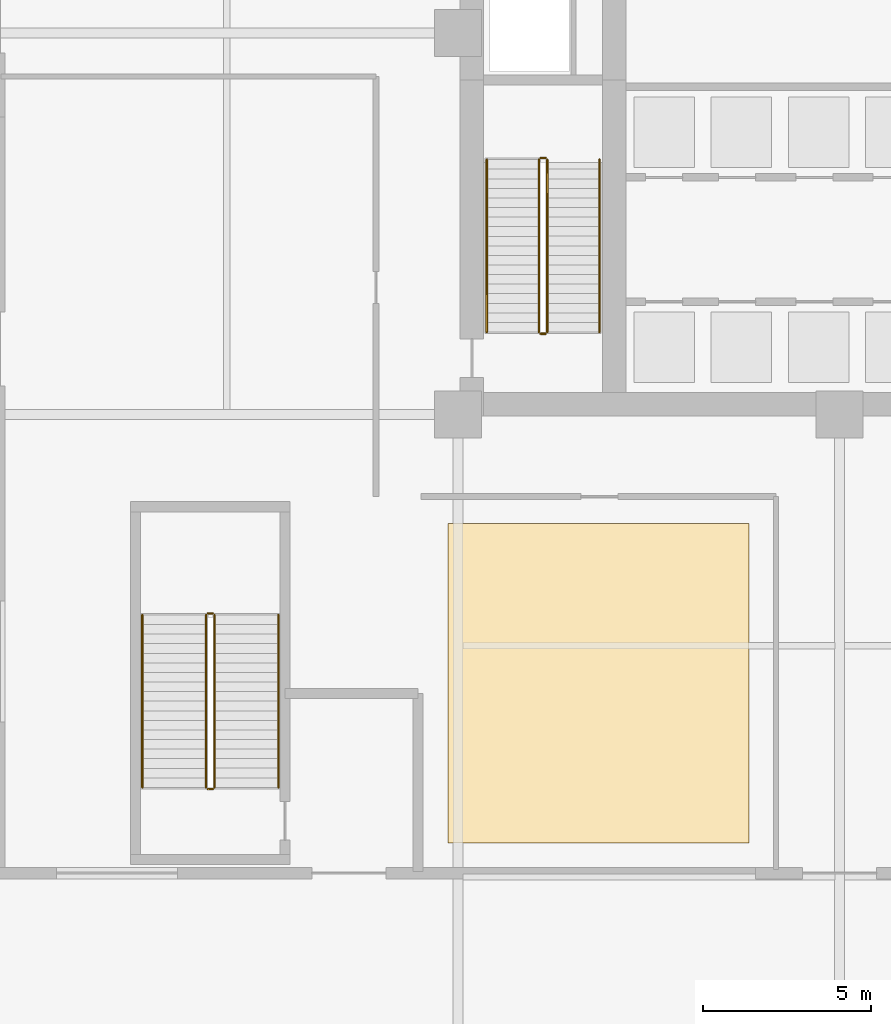
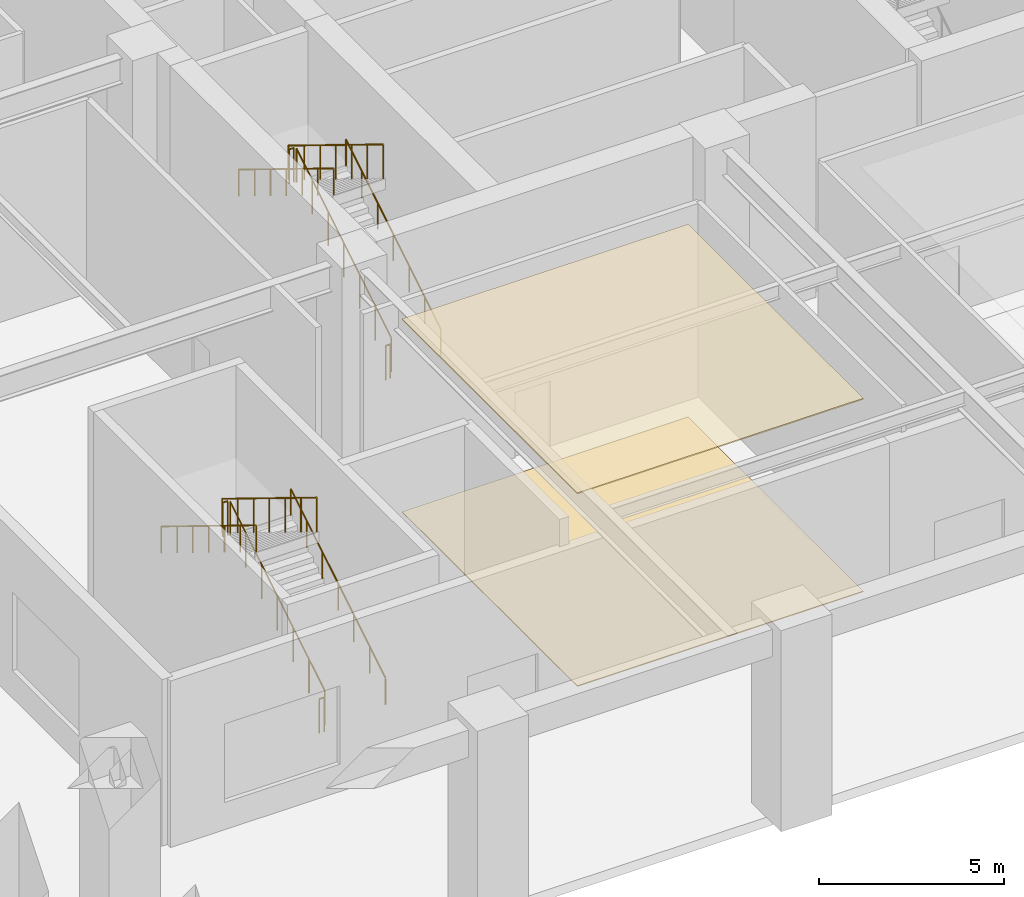
# One storey, part 13 of 17: 12 railings, 2 coverings.
"""IFC4 building model written with IfcOpenShell, lengths in metres."""

import ifcopenshell
import ifcopenshell.guid

model = None  # the IFC model being written
_history = None  # IfcOwnerHistory: only IFC2X3 demands one
_inside = {}  # id of a spatial element -> (the spatial element, [elements in it])
_under = {}  # id of a project, library or spatial element -> (it, [spatial elements below it])
_declared = {}  # id of a project -> (the project, [libraries it declares])
_typed = {}  # id of a type object -> (the type object, [elements of that type])
_made_of = {}  # id of a material, layer set ... -> (it, [elements and type objects made of it])


def new_model(schema):
    """Start an empty IFC model of exactly this schema.

    Asked for "IFC4X3", IfcOpenShell would pick the latest addendum, in which some entities
    have other attributes; the version numbers below select the first issue.
    IFC2X3 requires an IfcOwnerHistory on every rooted entity: one is made here for all.
    """
    global model, _history
    if schema == "IFC4X3":
        model = ifcopenshell.file(schema_version=(4, 3, 0, 0))
    else:
        model = ifcopenshell.file(schema=schema)
    _inside.clear()
    _under.clear()
    _declared.clear()
    _typed.clear()
    _made_of.clear()
    _history = None
    if model.schema == "IFC2X3":
        org = make("IfcOrganization", Name="unknown")
        user = make(
            "IfcPersonAndOrganization",
            ThePerson=make("IfcPerson", FamilyName="unknown"),
            TheOrganization=org,
        )
        app = make(
            "IfcApplication",
            ApplicationDeveloper=org,
            Version="unknown",
            ApplicationFullName="unknown",
            ApplicationIdentifier="unknown",
        )
        _history = make(
            "IfcOwnerHistory",
            OwningUser=user,
            OwningApplication=app,
            ChangeAction="ADDED",
            CreationDate=0,
        )
    return model


def make(cls, **values):
    """One entity of the class cls with the attributes given. An attribute that is None is left unset."""
    return model.create_entity(
        cls, **{name: value for name, value in values.items() if value is not None}
    )


def rooted(cls, **values):
    """An entity with a GlobalId (a new one), such as an element, a storey or a relation."""
    return make(cls, GlobalId=ifcopenshell.guid.new(), OwnerHistory=_history, **values)


def si_unit(unit_type, name, prefix=None):
    """IfcSIUnit, for example si_unit("LENGTHUNIT", "METRE", prefix="MILLI")."""
    return make("IfcSIUnit", UnitType=unit_type, Prefix=prefix, Name=name)


def assignment(units):
    """IfcUnitAssignment: the units of a project."""
    return None if units is None else make("IfcUnitAssignment", Units=units)


def point(xyz):
    """IfcCartesianPoint."""
    return None if xyz is None else make("IfcCartesianPoint", Coordinates=xyz)


def direction(xyz):
    """IfcDirection."""
    return None if xyz is None else make("IfcDirection", DirectionRatios=xyz)


def frame(location, z_axis=None, x_axis=None):
    """IfcAxis2Placement3D, a coordinate frame: its origin and axes. An axis left out is left unset."""
    return make(
        "IfcAxis2Placement3D",
        Location=point(location),
        Axis=direction(z_axis),
        RefDirection=direction(x_axis),
    )


def frame_2d(location, x_axis=None):
    """IfcAxis2Placement2D, a coordinate frame in the plane: its origin and x axis."""
    return make(
        "IfcAxis2Placement2D", Location=point(location), RefDirection=direction(x_axis)
    )


def origin():
    """The frame at (0, 0, 0) with its axes left unset."""
    return frame((0.0, 0.0, 0.0))


def origin_2d():
    """The frame at (0, 0) in the plane with its x axis left unset."""
    return frame_2d((0.0, 0.0))


def place(relative_to, where):
    """IfcLocalPlacement: puts the frame where relative to a parent placement (None: the world)."""
    return make(
        "IfcLocalPlacement", PlacementRelTo=relative_to, RelativePlacement=where
    )


def context(
    kind, dimensions, precision=None, world=None, true_north=None, identifier=None
):
    """IfcGeometricRepresentationContext, for example the 3D "Model" context."""
    return make(
        "IfcGeometricRepresentationContext",
        ContextIdentifier=identifier,
        ContextType=kind,
        CoordinateSpaceDimension=dimensions,
        Precision=precision,
        WorldCoordinateSystem=world,
        TrueNorth=true_north,
    )


def subcontext(parent, identifier, kind, view, scale=None):
    """IfcGeometricRepresentationSubContext, for example "Body" below "Model"."""
    return make(
        "IfcGeometricRepresentationSubContext",
        ContextIdentifier=identifier,
        ContextType=kind,
        ParentContext=parent,
        TargetScale=scale,
        TargetView=view,
    )


def project(units=None, contexts=None):
    """IfcProject with its units and contexts."""
    return rooted(
        "IfcProject",
        Name="project",
        RepresentationContexts=contexts,
        UnitsInContext=assignment(units),
    )


def spatial(cls, under=None, at=None, **own):
    """A site, building, storey or space (cls), placed at a placement, below another one or the project."""
    s = rooted(cls, ObjectPlacement=at, **own)
    if under is not None:
        _under.setdefault(under.id(), (under, []))[1].append(s)
    return s


def polyline(points):
    """IfcPolyline through the points."""
    return make("IfcPolyline", Points=[point(p) for p in points])


def profile(cls, at=None, kind="AREA", **sizes):
    """A parametric profile (cls). Its sizes go by their IFC names, for example OverallWidth=200.0."""
    return make(cls, ProfileType=kind, Position=at, **sizes)


def circle(**sizes):
    """IfcCircleProfileDef."""
    return profile("IfcCircleProfileDef", **sizes)


def outline(outer, holes=None, kind="AREA"):
    """IfcArbitraryClosedProfileDef: a profile drawn as a closed curve; with holes, ...WithVoids."""
    if holes is None:
        return make("IfcArbitraryClosedProfileDef", ProfileType=kind, OuterCurve=outer)
    return make(
        "IfcArbitraryProfileDefWithVoids",
        ProfileType=kind,
        OuterCurve=outer,
        InnerCurves=holes,
    )


def extrude(swept, where, along, depth):
    """IfcExtrudedAreaSolid: the profile swept, set in the frame where, extruded along a direction by depth."""
    return make(
        "IfcExtrudedAreaSolid",
        SweptArea=swept,
        Position=where,
        ExtrudedDirection=direction(along),
        Depth=depth,
    )


def shape(context_of_items, identifier, shape_type, items):
    """IfcShapeRepresentation: the items that make up one representation, for example the "Body"."""
    return make(
        "IfcShapeRepresentation",
        ContextOfItems=context_of_items,
        RepresentationIdentifier=identifier,
        RepresentationType=shape_type,
        Items=items,
    )


def material(Name=None, Category=None):
    """IfcMaterial."""
    return make("IfcMaterial", Name=Name, Category=Category)


def layer(
    of_material, thickness, ventilated=None, Name=None, Category=None, Priority=None
):
    """IfcMaterialLayer: one layer of a wall or slab, of a material (None: an air gap)."""
    return make(
        "IfcMaterialLayer",
        Material=of_material,
        LayerThickness=thickness,
        IsVentilated=ventilated,
        Name=Name,
        Category=Category,
        Priority=Priority,
    )


def layer_set(layers, Name=None):
    """IfcMaterialLayerSet."""
    return make("IfcMaterialLayerSet", MaterialLayers=layers, LayerSetName=Name)


def made_of(thing, what):
    """Note that an element or type object is made of a material, layer set ...; save() writes the relation."""
    if what is not None:
        _made_of.setdefault(what.id(), (what, []))[1].append(thing)
    return thing


def type_object(cls, material=None, **own):
    """A type object (cls), such as IfcWallType, which elements share."""
    return made_of(rooted(cls, **own), material)


def element(
    cls,
    number,
    at=None,
    inside=None,
    cuts=None,
    type_object=None,
    material=None,
    context=None,
    identifier="Body",
    shape_type=None,
    held_by="IfcProductDefinitionShape",
    body=None,
    shapes=None,
    **own,
):
    """One element of the class cls, such as IfcWall. Its Tag is "e" and its number.

    at: its placement. inside: the storey or other place that contains it. cuts: it is an
    opening in that element (IfcRelVoidsElement). A single representation is given by context,
    identifier, shape_type and body (its items); several are given by shapes. held_by: the class
    of the entity that holds the representations. save() writes the other relations.
    """
    e = rooted(cls, Tag="e%d" % number, ObjectPlacement=at, **own)
    if body is not None:
        shapes = [shape(context, identifier, shape_type, body)]
    if shapes is not None:
        e.Representation = make(held_by, Representations=shapes)
    if inside is not None:
        _inside.setdefault(inside.id(), (inside, []))[1].append(e)
    if cuts is not None:
        rooted(
            "IfcRelVoidsElement", RelatingBuildingElement=cuts, RelatedOpeningElement=e
        )
    if type_object is not None:
        _typed.setdefault(type_object.id(), (type_object, []))[1].append(e)
    return made_of(e, material)


def aggregate(whole, parts):
    """IfcRelAggregates: a whole, such as a stair, and the parts it consists of."""
    return rooted("IfcRelAggregates", RelatingObject=whole, RelatedObjects=parts)


def save(model, path):
    """Write the relations noted so far, then the file.

    IfcRelAggregates (storeys below a building ...), IfcRelContainedInSpatialStructure (elements
    in a storey), IfcRelDefinesByType, IfcRelAssociatesMaterial and IfcRelDeclares: one each for
    every whole, place, type object, material and project.
    """
    for whole, parts in _under.values():
        aggregate(whole, parts)
    for where, things in _inside.values():
        rooted(
            "IfcRelContainedInSpatialStructure",
            RelatedElements=things,
            RelatingStructure=where,
        )
    for kind, things in _typed.values():
        rooted("IfcRelDefinesByType", RelatedObjects=things, RelatingType=kind)
    for what, things in _made_of.values():
        rooted("IfcRelAssociatesMaterial", RelatedObjects=things, RelatingMaterial=what)
    for by, libraries in _declared.values():
        rooted("IfcRelDeclares", RelatingContext=by, RelatedDefinitions=libraries)
    model.write(path)


model = new_model("IFC4")

# Units and contexts
model_context = context("Model", 3, precision=1e-05, world=origin(), true_north=direction((0.0, 1.0)))
body_context = subcontext(model_context, "Body", "Model", "MODEL_VIEW")
ifc_project = project(units=[si_unit("LENGTHUNIT", "METRE"), si_unit("AREAUNIT", "SQUARE_METRE"), si_unit("VOLUMEUNIT", "CUBIC_METRE"), si_unit("PLANEANGLEUNIT", "RADIAN"), si_unit("MASSUNIT", "GRAM", prefix="KILO")], contexts=[model_context])

# Site, building, storey
site_placement = place(None, origin())
site = spatial("IfcSite", under=ifc_project, at=site_placement, CompositionType="ELEMENT")
building_placement = place(site_placement, origin())
building = spatial("IfcBuilding", under=site, at=building_placement, Name="Nhamokura Convention Tower", CompositionType="ELEMENT")
storey_placement = place(building_placement, origin())
storey = spatial("IfcBuildingStorey", under=building, at=storey_placement, Name="L00", CompositionType="ELEMENT", Elevation=0.0)

# Coverings
ifc_material_1 = material(Name="Anodised bronze aluminium ceiling baffle", Category="aluminium")
ifc_layer_1 = layer(ifc_material_1, 0.0400390625)
ifc_layer_set_1 = layer_set([ifc_layer_1], Name="BronzeBaffleCeiling_40")
covering_type_1 = type_object("IfcCoveringType", Name="BronzeBaffleCeiling_40", PredefinedType="CEILING", material=ifc_layer_set_1)
covering_1_placement = place(storey_placement, frame((0.0, 0.0, 6.3701171875)))
element("IfcCovering", 1, at=covering_1_placement, inside=storey, type_object=covering_type_1, Name="L00 Suspended Ceiling 03", PredefinedType="CEILING", context=body_context, shape_type="SweptSolid", body=[
    extrude(outline(polyline([(20.35009765625, 7.89990234375), (29.300048828125, 7.89990234375), (29.300048828125, 17.39990234375), (20.35009765625, 17.39990234375), (20.35009765625, 7.89990234375)])), origin(), (0.0, 0.0, 1.0), 0.039794921875),
])
ifc_material_2 = material(Name="Polished Sabana granite terrazzo", Category="masonry")
ifc_layer_2 = layer(ifc_material_2, 0.030029296875)
ifc_layer_set_2 = layer_set([ifc_layer_2], Name="SabanaTerrazzoFlooring_30")
covering_type_2 = type_object("IfcCoveringType", Name="SabanaTerrazzoFlooring_30", PredefinedType="FLOORING", material=ifc_layer_set_2)
covering_2_placement = place(storey_placement, origin())
element("IfcCovering", 2, at=covering_2_placement, inside=storey, type_object=covering_type_2, Name="L00 Finish Flooring 03", PredefinedType="FLOORING", context=body_context, shape_type="SweptSolid", body=[
    extrude(outline(polyline([(20.35009765625, 7.89990234375), (29.300048828125, 7.89990234375), (29.300048828125, 17.39990234375), (20.35009765625, 17.39990234375), (20.35009765625, 7.89990234375)])), origin(), (0.0, 0.0, 1.0), 0.030029296875),
])

# Railings
ifc_material_3 = material(Name="Anodised bronze stainless steel", Category="steel")
railing_type_1 = type_object("IfcRailingType", Name="StairWallHandrail_900", PredefinedType="HANDRAIL", material=ifc_material_3)
railing_1_placement = place(storey_placement, frame((24.85009765625, 23.10009765625, 0.175048828125)))
element("IfcRailing", 3, at=railing_1_placement, inside=storey, type_object=railing_type_1, Name="L00 ST-01 stair handrail 1", PredefinedType="HANDRAIL", context=body_context, shape_type="SweptSolid", body=[
    extrude(circle(Radius=0.02392578125, at=origin_2d()), frame((0.0, 0.0, 0.8759765625), z_axis=(0.0, 0.852173129349, 0.523259933127), x_axis=(-1.0, 0.0, 0.0)), (0.0, 0.0, 1.0), 6.019775390625),
    extrude(circle(Radius=0.02099609375, at=origin_2d()), origin(), (0.0, 0.0, 1.0), 0.851806640625),
    extrude(circle(Radius=0.02099609375, at=origin_2d()), frame((0.0, 0.85498046875, 0.52490234375)), (0.0, 0.0, 1.0), 0.851806640625),
    extrude(circle(Radius=0.02099609375, at=origin_2d()), frame((0.0, 1.7099609375, 1.050048828125)), (0.0, 0.0, 1.0), 0.851806640625),
    extrude(circle(Radius=0.02099609375, at=origin_2d()), frame((0.0, 2.56494140625, 1.574951171875)), (0.0, 0.0, 1.0), 0.851806640625),
    extrude(circle(Radius=0.02099609375, at=origin_2d()), frame((0.0, 3.419921875, 2.099853515625)), (0.0, 0.0, 1.0), 0.851806640625),
    extrude(circle(Radius=0.02099609375, at=origin_2d()), frame((0.0, 4.27490234375, 2.625)), (0.0, 0.0, 1.0), 0.851806640625),
    extrude(circle(Radius=0.02099609375, at=origin_2d()), frame((0.0, 5.1298828125, 3.14990234375)), (0.0, 0.0, 1.0), 0.851806640625),
])
railing_2_placement = place(storey_placement, frame((21.5, 28.22998046875, 3.5)))
element("IfcRailing", 4, at=railing_2_placement, inside=storey, type_object=railing_type_1, Name="L00 ST-01 stair handrail 2", PredefinedType="HANDRAIL", context=body_context, shape_type="SweptSolid", body=[
    extrude(circle(Radius=0.02392578125, at=origin_2d()), frame((0.0, 0.0, 0.8759765625), z_axis=(0.0, -0.852173129349, 0.523259933127), x_axis=(1.0, 0.0, 0.0)), (0.0, 0.0, 1.0), 6.019775390625),
    extrude(circle(Radius=0.02099609375, at=origin_2d()), origin(), (0.0, 0.0, 1.0), 0.851806640625),
    extrude(circle(Radius=0.02099609375, at=origin_2d()), frame((0.0, -0.85498046875, 0.52490234375)), (0.0, 0.0, 1.0), 0.851806640625),
    extrude(circle(Radius=0.02099609375, at=origin_2d()), frame((0.0, -1.7099609375, 1.050048828125)), (0.0, 0.0, 1.0), 0.851806640625),
    extrude(circle(Radius=0.02099609375, at=origin_2d()), frame((0.0, -2.56494140625, 1.574951171875)), (0.0, 0.0, 1.0), 0.851806640625),
    extrude(circle(Radius=0.02099609375, at=origin_2d()), frame((0.0, -3.419921875, 2.099853515625)), (0.0, 0.0, 1.0), 0.851806640625),
    extrude(circle(Radius=0.02099609375, at=origin_2d()), frame((0.0, -4.27490234375, 2.625)), (0.0, 0.0, 1.0), 0.851806640625),
    extrude(circle(Radius=0.02099609375, at=origin_2d()), frame((0.0, -5.1298828125, 3.14990234375)), (0.0, 0.0, 1.0), 0.851806640625),
])
railing_3_placement = place(storey_placement, frame((15.300048828125, 9.550048828125, 0.175048828125)))
element("IfcRailing", 5, at=railing_3_placement, inside=storey, type_object=railing_type_1, Name="L00 ST-04 stair handrail 1", PredefinedType="HANDRAIL", context=body_context, shape_type="SweptSolid", body=[
    extrude(circle(Radius=0.02392578125, at=origin_2d()), frame((0.0, 0.0, 0.8759765625), z_axis=(0.0, 0.852173129349, 0.523259933127), x_axis=(-1.0, 0.0, 0.0)), (0.0, 0.0, 1.0), 6.019775390625),
    extrude(circle(Radius=0.02099609375, at=origin_2d()), origin(), (0.0, 0.0, 1.0), 0.851806640625),
    extrude(circle(Radius=0.02099609375, at=origin_2d()), frame((0.0, 0.85498046875, 0.52490234375)), (0.0, 0.0, 1.0), 0.851806640625),
    extrude(circle(Radius=0.02099609375, at=origin_2d()), frame((0.0, 1.7099609375, 1.050048828125)), (0.0, 0.0, 1.0), 0.851806640625),
    extrude(circle(Radius=0.02099609375, at=origin_2d()), frame((0.0, 2.56494140625, 1.574951171875)), (0.0, 0.0, 1.0), 0.851806640625),
    extrude(circle(Radius=0.02099609375, at=origin_2d()), frame((0.0, 3.419921875, 2.099853515625)), (0.0, 0.0, 1.0), 0.851806640625),
    extrude(circle(Radius=0.02099609375, at=origin_2d()), frame((0.0, 4.27490234375, 2.625)), (0.0, 0.0, 1.0), 0.851806640625),
    extrude(circle(Radius=0.02099609375, at=origin_2d()), frame((0.0, 5.1298828125, 3.14990234375)), (0.0, 0.0, 1.0), 0.851806640625),
])
railing_4_placement = place(storey_placement, frame((11.25, 14.679931640625, 3.5)))
element("IfcRailing", 6, at=railing_4_placement, inside=storey, type_object=railing_type_1, Name="L00 ST-04 stair handrail 2", PredefinedType="HANDRAIL", context=body_context, shape_type="SweptSolid", body=[
    extrude(circle(Radius=0.02392578125, at=origin_2d()), frame((0.0, 0.0, 0.8759765625), z_axis=(0.0, -0.852173129349, 0.523259933127), x_axis=(1.0, 0.0, 0.0)), (0.0, 0.0, 1.0), 6.019775390625),
    extrude(circle(Radius=0.02099609375, at=origin_2d()), origin(), (0.0, 0.0, 1.0), 0.851806640625),
    extrude(circle(Radius=0.02099609375, at=origin_2d()), frame((0.0, -0.85498046875, 0.52490234375)), (0.0, 0.0, 1.0), 0.851806640625),
    extrude(circle(Radius=0.02099609375, at=origin_2d()), frame((0.0, -1.7099609375, 1.050048828125)), (0.0, 0.0, 1.0), 0.851806640625),
    extrude(circle(Radius=0.02099609375, at=origin_2d()), frame((0.0, -2.56494140625, 1.574951171875)), (0.0, 0.0, 1.0), 0.851806640625),
    extrude(circle(Radius=0.02099609375, at=origin_2d()), frame((0.0, -3.419921875, 2.099853515625)), (0.0, 0.0, 1.0), 0.851806640625),
    extrude(circle(Radius=0.02099609375, at=origin_2d()), frame((0.0, -4.27490234375, 2.625)), (0.0, 0.0, 1.0), 0.851806640625),
    extrude(circle(Radius=0.02099609375, at=origin_2d()), frame((0.0, -5.1298828125, 3.14990234375)), (0.0, 0.0, 1.0), 0.851806640625),
])
ifc_material_4 = material(Name="Painted tubular steel", Category="steel")
railing_type_2 = type_object("IfcRailingType", Name="StairWellGuardrail_1150", PredefinedType="GUARDRAIL", material=ifc_material_4)
railing_5_placement = place(storey_placement, frame((23.300048828125, 23.10009765625, 0.175048828125)))
element("IfcRailing", 7, at=railing_5_placement, inside=storey, type_object=railing_type_2, Name="L00 ST-01 stair guard 1", PredefinedType="GUARDRAIL", context=body_context, shape_type="SweptSolid", body=[
    extrude(circle(Radius=0.02392578125, at=origin_2d()), frame((0.0, 0.0, 1.1259765625), z_axis=(0.0, 0.852173129349, 0.523259933127), x_axis=(-1.0, 0.0, 0.0)), (0.0, 0.0, 1.0), 6.019775390625),
    extrude(circle(Radius=0.02099609375, at=origin_2d()), origin(), (0.0, 0.0, 1.0), 1.101806640625),
    extrude(circle(Radius=0.02099609375, at=origin_2d()), frame((0.0, 0.85498046875, 0.52490234375)), (0.0, 0.0, 1.0), 1.101806640625),
    extrude(circle(Radius=0.02099609375, at=origin_2d()), frame((0.0, 1.7099609375, 1.050048828125)), (0.0, 0.0, 1.0), 1.101806640625),
    extrude(circle(Radius=0.02099609375, at=origin_2d()), frame((0.0, 2.56494140625, 1.574951171875)), (0.0, 0.0, 1.0), 1.101806640625),
    extrude(circle(Radius=0.02099609375, at=origin_2d()), frame((0.0, 3.419921875, 2.099853515625)), (0.0, 0.0, 1.0), 1.101806640625),
    extrude(circle(Radius=0.02099609375, at=origin_2d()), frame((0.0, 4.27490234375, 2.625)), (0.0, 0.0, 1.0), 1.101806640625),
    extrude(circle(Radius=0.02099609375, at=origin_2d()), frame((0.0, 5.1298828125, 3.14990234375)), (0.0, 0.0, 1.0), 1.101806640625),
])
railing_6_placement = place(storey_placement, frame((23.25, 28.280029296875, 3.324951171875)))
element("IfcRailing", 8, at=railing_6_placement, inside=storey, type_object=railing_type_2, Name="L00 ST-01 stair guard 2", PredefinedType="GUARDRAIL", context=body_context, shape_type="SweptSolid", body=[
    extrude(circle(Radius=0.02392578125, at=origin_2d()), frame((0.0, 0.0, 1.1259765625), z_axis=(-1.0, 0.0, 0.0), x_axis=(0.0, -1.0, 0.0)), (0.0, 0.0, 1.0), 0.14990234375),
    extrude(circle(Radius=0.02099609375, at=origin_2d()), origin(), (0.0, 0.0, 1.0), 1.101806640625),
    extrude(circle(Radius=0.02099609375, at=origin_2d()), frame((-0.14990234375, 0.0, 0.0)), (0.0, 0.0, 1.0), 1.101806640625),
])
railing_7_placement = place(storey_placement, frame((23.050048828125, 28.22998046875, 3.5)))
element("IfcRailing", 9, at=railing_7_placement, inside=storey, type_object=railing_type_2, Name="L00 ST-01 stair guard 3", PredefinedType="GUARDRAIL", context=body_context, shape_type="SweptSolid", body=[
    extrude(circle(Radius=0.02392578125, at=origin_2d()), frame((0.0, 0.0, 1.1259765625), z_axis=(0.0, -0.852173129349, 0.523259933127), x_axis=(1.0, 0.0, 0.0)), (0.0, 0.0, 1.0), 6.019775390625),
    extrude(circle(Radius=0.02099609375, at=origin_2d()), origin(), (0.0, 0.0, 1.0), 1.101806640625),
    extrude(circle(Radius=0.02099609375, at=origin_2d()), frame((0.0, -0.85498046875, 0.52490234375)), (0.0, 0.0, 1.0), 1.101806640625),
    extrude(circle(Radius=0.02099609375, at=origin_2d()), frame((0.0, -1.7099609375, 1.050048828125)), (0.0, 0.0, 1.0), 1.101806640625),
    extrude(circle(Radius=0.02099609375, at=origin_2d()), frame((0.0, -2.56494140625, 1.574951171875)), (0.0, 0.0, 1.0), 1.101806640625),
    extrude(circle(Radius=0.02099609375, at=origin_2d()), frame((0.0, -3.419921875, 2.099853515625)), (0.0, 0.0, 1.0), 1.101806640625),
    extrude(circle(Radius=0.02099609375, at=origin_2d()), frame((0.0, -4.27490234375, 2.625)), (0.0, 0.0, 1.0), 1.101806640625),
    extrude(circle(Radius=0.02099609375, at=origin_2d()), frame((0.0, -5.1298828125, 3.14990234375)), (0.0, 0.0, 1.0), 1.101806640625),
])
railing_8_placement = place(storey_placement, frame((23.25, 23.050048828125, 0.0)))
element("IfcRailing", 10, at=railing_8_placement, inside=storey, type_object=railing_type_2, Name="L00 ST-01 stair guard 4", PredefinedType="GUARDRAIL", context=body_context, shape_type="SweptSolid", body=[
    extrude(circle(Radius=0.02392578125, at=origin_2d()), frame((0.0, 0.0, 1.1259765625), z_axis=(-1.0, 0.0, 0.0), x_axis=(0.0, -1.0, 0.0)), (0.0, 0.0, 1.0), 0.14990234375),
    extrude(circle(Radius=0.02099609375, at=origin_2d()), origin(), (0.0, 0.0, 1.0), 1.101806640625),
    extrude(circle(Radius=0.02099609375, at=origin_2d()), frame((-0.14990234375, 0.0, 0.0)), (0.0, 0.0, 1.0), 1.101806640625),
])
railing_9_placement = place(storey_placement, frame((13.39990234375, 9.550048828125, 0.175048828125)))
element("IfcRailing", 11, at=railing_9_placement, inside=storey, type_object=railing_type_2, Name="L00 ST-04 stair guard 1", PredefinedType="GUARDRAIL", context=body_context, shape_type="SweptSolid", body=[
    extrude(circle(Radius=0.02392578125, at=origin_2d()), frame((0.0, 0.0, 1.1259765625), z_axis=(0.0, 0.852173129349, 0.523259933127), x_axis=(-1.0, 0.0, 0.0)), (0.0, 0.0, 1.0), 6.019775390625),
    extrude(circle(Radius=0.02099609375, at=origin_2d()), origin(), (0.0, 0.0, 1.0), 1.101806640625),
    extrude(circle(Radius=0.02099609375, at=origin_2d()), frame((0.0, 0.85498046875, 0.52490234375)), (0.0, 0.0, 1.0), 1.101806640625),
    extrude(circle(Radius=0.02099609375, at=origin_2d()), frame((0.0, 1.7099609375, 1.050048828125)), (0.0, 0.0, 1.0), 1.101806640625),
    extrude(circle(Radius=0.02099609375, at=origin_2d()), frame((0.0, 2.56494140625, 1.574951171875)), (0.0, 0.0, 1.0), 1.101806640625),
    extrude(circle(Radius=0.02099609375, at=origin_2d()), frame((0.0, 3.419921875, 2.099853515625)), (0.0, 0.0, 1.0), 1.101806640625),
    extrude(circle(Radius=0.02099609375, at=origin_2d()), frame((0.0, 4.27490234375, 2.625)), (0.0, 0.0, 1.0), 1.101806640625),
    extrude(circle(Radius=0.02099609375, at=origin_2d()), frame((0.0, 5.1298828125, 3.14990234375)), (0.0, 0.0, 1.0), 1.101806640625),
])
railing_10_placement = place(storey_placement, frame((13.35009765625, 14.72998046875, 3.324951171875)))
element("IfcRailing", 12, at=railing_10_placement, inside=storey, type_object=railing_type_2, Name="L00 ST-04 stair guard 2", PredefinedType="GUARDRAIL", context=body_context, shape_type="SweptSolid", body=[
    extrude(circle(Radius=0.02392578125, at=origin_2d()), frame((0.0, 0.0, 1.1259765625), z_axis=(-1.0, 0.0, 0.0), x_axis=(0.0, -1.0, 0.0)), (0.0, 0.0, 1.0), 0.150146484375),
    extrude(circle(Radius=0.02099609375, at=origin_2d()), origin(), (0.0, 0.0, 1.0), 1.101806640625),
    extrude(circle(Radius=0.02099609375, at=origin_2d()), frame((-0.150146484375, 0.0, 0.0)), (0.0, 0.0, 1.0), 1.101806640625),
])
railing_11_placement = place(storey_placement, frame((13.14990234375, 14.679931640625, 3.5)))
element("IfcRailing", 13, at=railing_11_placement, inside=storey, type_object=railing_type_2, Name="L00 ST-04 stair guard 3", PredefinedType="GUARDRAIL", context=body_context, shape_type="SweptSolid", body=[
    extrude(circle(Radius=0.02392578125, at=origin_2d()), frame((0.0, 0.0, 1.1259765625), z_axis=(0.0, -0.852173129349, 0.523259933127), x_axis=(1.0, 0.0, 0.0)), (0.0, 0.0, 1.0), 6.019775390625),
    extrude(circle(Radius=0.02099609375, at=origin_2d()), origin(), (0.0, 0.0, 1.0), 1.101806640625),
    extrude(circle(Radius=0.02099609375, at=origin_2d()), frame((0.0, -0.85498046875, 0.52490234375)), (0.0, 0.0, 1.0), 1.101806640625),
    extrude(circle(Radius=0.02099609375, at=origin_2d()), frame((0.0, -1.7099609375, 1.050048828125)), (0.0, 0.0, 1.0), 1.101806640625),
    extrude(circle(Radius=0.02099609375, at=origin_2d()), frame((0.0, -2.56494140625, 1.574951171875)), (0.0, 0.0, 1.0), 1.101806640625),
    extrude(circle(Radius=0.02099609375, at=origin_2d()), frame((0.0, -3.419921875, 2.099853515625)), (0.0, 0.0, 1.0), 1.101806640625),
    extrude(circle(Radius=0.02099609375, at=origin_2d()), frame((0.0, -4.27490234375, 2.625)), (0.0, 0.0, 1.0), 1.101806640625),
    extrude(circle(Radius=0.02099609375, at=origin_2d()), frame((0.0, -5.1298828125, 3.14990234375)), (0.0, 0.0, 1.0), 1.101806640625),
])
railing_12_placement = place(storey_placement, frame((13.35009765625, 9.5, 0.0)))
element("IfcRailing", 14, at=railing_12_placement, inside=storey, type_object=railing_type_2, Name="L00 ST-04 stair guard 4", PredefinedType="GUARDRAIL", context=body_context, shape_type="SweptSolid", body=[
    extrude(circle(Radius=0.02392578125, at=origin_2d()), frame((0.0, 0.0, 1.1259765625), z_axis=(-1.0, 0.0, 0.0), x_axis=(0.0, -1.0, 0.0)), (0.0, 0.0, 1.0), 0.150146484375),
    extrude(circle(Radius=0.02099609375, at=origin_2d()), origin(), (0.0, 0.0, 1.0), 1.101806640625),
    extrude(circle(Radius=0.02099609375, at=origin_2d()), frame((-0.150146484375, 0.0, 0.0)), (0.0, 0.0, 1.0), 1.101806640625),
])

save(model, "model.ifc")
